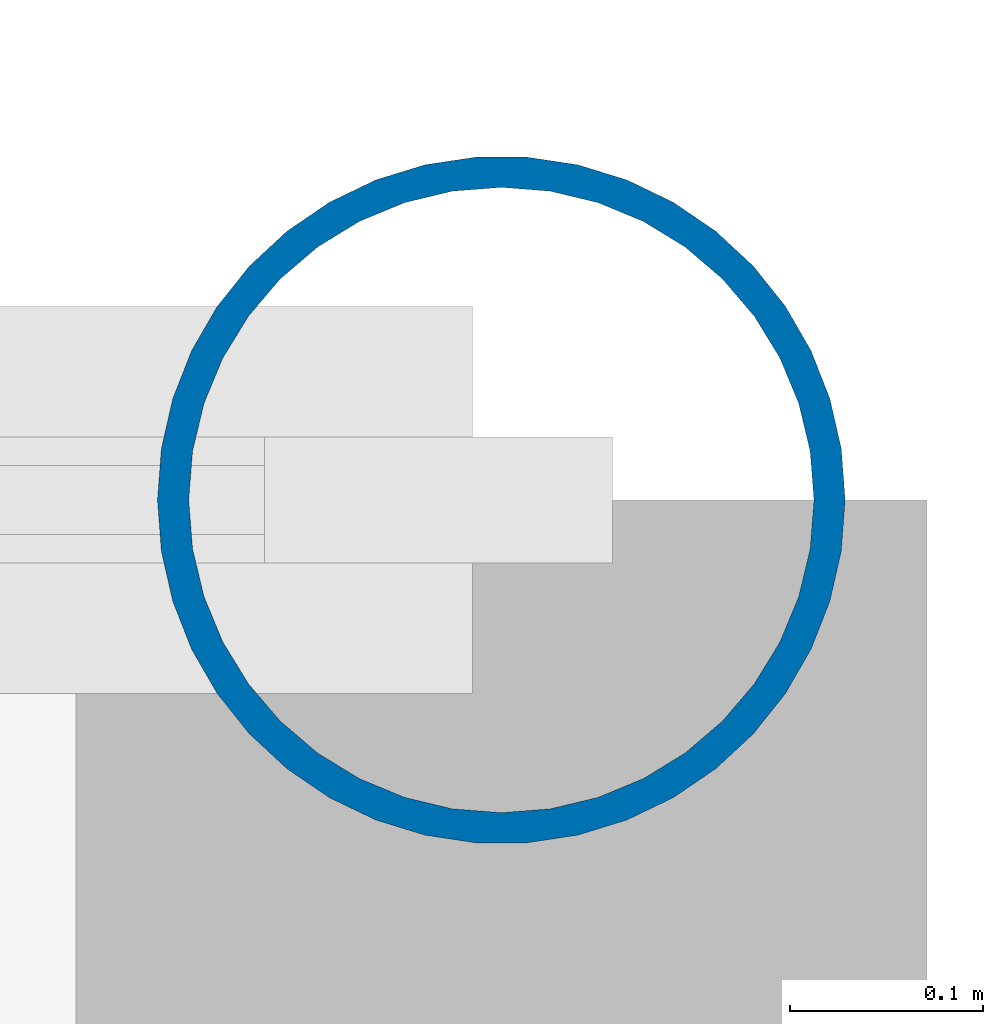
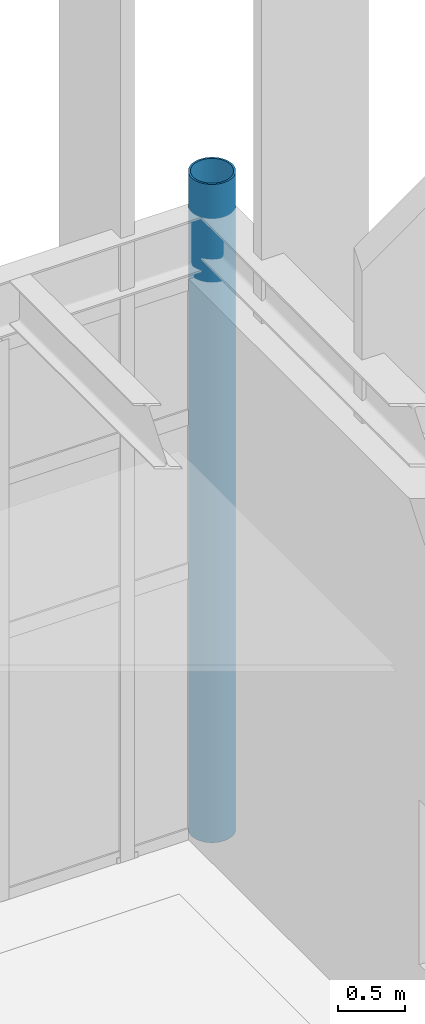
# One storey, part 10 of 83: 1 column.
"""IFC4 building model written with IfcOpenShell, lengths in metres."""

from ifc_helpers import new_model, si_unit, direction, frame, origin, origin_2d, place, context, subcontext, project, spatial, hollow_circle, extrude, material, material_profile, profile_set, type_object, element, save


model = new_model("IFC4")

# Units and contexts
model_context = context("Model", 3, precision=1e-05, world=origin(), true_north=direction((0.0, 1.0)))
body_context = subcontext(model_context, "Body", "Model", "MODEL_VIEW")
ifc_project = project(units=[si_unit("LENGTHUNIT", "METRE"), si_unit("AREAUNIT", "SQUARE_METRE"), si_unit("VOLUMEUNIT", "CUBIC_METRE"), si_unit("PLANEANGLEUNIT", "RADIAN"), si_unit("MASSUNIT", "GRAM", prefix="KILO")], contexts=[model_context])

# Site, building, storey
site_placement = place(None, origin())
site = spatial("IfcSite", under=ifc_project, at=site_placement, CompositionType="ELEMENT")
building_placement = place(site_placement, origin())
building = spatial("IfcBuilding", under=site, at=building_placement, Name="Zlatogorsky Bluff Art Gallery", CompositionType="ELEMENT")
storey_placement = place(building_placement, frame((0.0, 0.0, 10.800048828125)))
storey = spatial("IfcBuildingStorey", under=building, at=storey_placement, Name="L02", CompositionType="ELEMENT", Elevation=10.800048828125)

# Column
ifc_material = material(Name="Steel S355", Category="steel")
ifc_material_profile = material_profile(ifc_material, hollow_circle(Radius=0.177734375, WallThickness=0.01611328125, at=origin_2d()), Name="CHS 355.6x16")
ifc_profile_set = profile_set([ifc_material_profile], Name="Steel S355")
column_type = type_object("IfcColumnType", Name="Column CL-10 CHS 355.6x16", PredefinedType="COLUMN", material=ifc_profile_set)
column_placement = place(storey_placement, frame((120.0, 120.0, 0.0), z_axis=(0.0, 0.0, 1.0), x_axis=(1.0, 0.0, 0.0)))
element("IfcColumn", 1, at=column_placement, inside=storey, type_object=column_type, Name="Column CL-10 L02 L12", PredefinedType="COLUMN", context=body_context, shape_type="SweptSolid", body=[
    extrude(hollow_circle(Radius=0.177734375, WallThickness=0.01611328125, at=origin_2d()), origin(), (0.0, 0.0, 1.0), 6.0),
])

save(model, "model.ifc")
